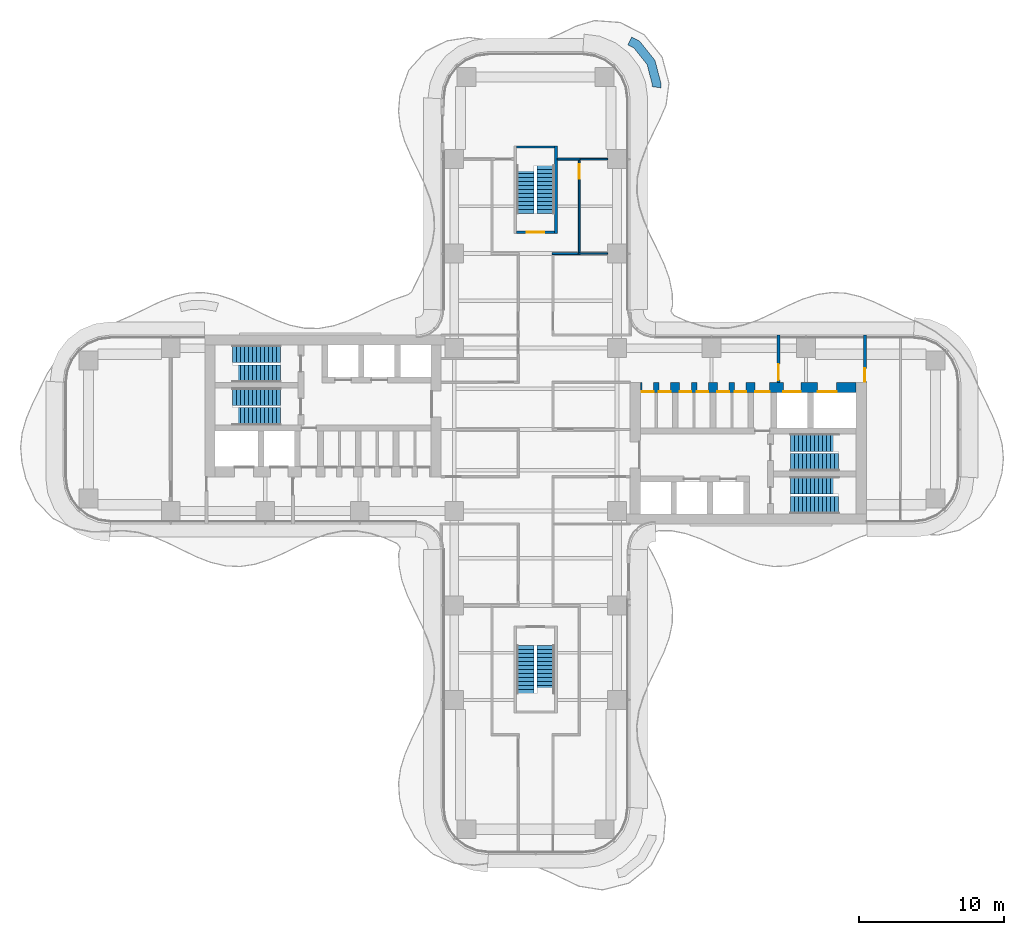
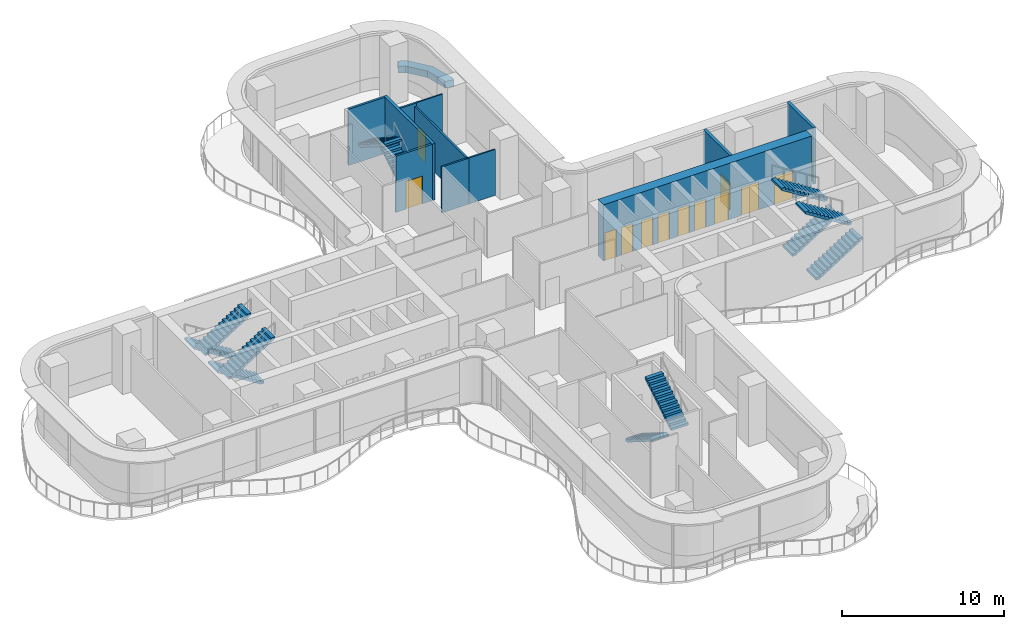
# One storey, part 21 of 23: 13 doors, 12 stair flights, 12 walls, 13 openings, 6 elements without a shape of their own.
"""IFC4 building model written with IfcOpenShell, lengths in metres."""

from ifc_helpers import new_model, si_unit, direction, frame, frame_2d, origin, place, context, subcontext, project, spatial, polyline, rectangle, outline, extrude, source, transform, mapped, material, layer, layer_set, type_object, element, fill, aggregate, save


model = new_model("IFC4")

# Units and contexts
model_context = context("Model", 3, precision=1e-05, world=origin(), true_north=direction((0.0, 1.0)))
body_context = subcontext(model_context, "Body", "Model", "MODEL_VIEW")
ifc_project = project(units=[si_unit("LENGTHUNIT", "METRE"), si_unit("AREAUNIT", "SQUARE_METRE"), si_unit("VOLUMEUNIT", "CUBIC_METRE"), si_unit("PLANEANGLEUNIT", "RADIAN"), si_unit("MASSUNIT", "GRAM", prefix="KILO")], contexts=[model_context])

# Site, building, storey
site_placement = place(None, origin())
site = spatial("IfcSite", under=ifc_project, at=site_placement, CompositionType="ELEMENT")
building_placement = place(site_placement, origin())
building = spatial("IfcBuilding", under=site, at=building_placement, Name="Trellis Farm Tower", CompositionType="ELEMENT")
storey_placement = place(building_placement, frame((0.0, 0.0, 120.0)))
storey = spatial("IfcBuildingStorey", under=building, at=storey_placement, Name="L25", CompositionType="ELEMENT", Elevation=120.0)

# Wall
ifc_material_1 = material(Name="Sandstone faced masonry planter", Category="masonry")
ifc_layer_1 = layer(ifc_material_1, 0.60009765625)
ifc_layer_set_1 = layer_set([ifc_layer_1], Name="PLANTER BED 600")
wall_type_1 = type_object("IfcWallType", Name="PLANTER BED 600", PredefinedType="USERDEFINED", material=ifc_layer_set_1)
placement = place(storey_placement, origin())
element("IfcWall", 1, at=placement, inside=storey, type_object=wall_type_1, Name="PLANTER bed", ObjectType="PLANTER", PredefinedType="USERDEFINED", context=body_context, shape_type="SweptSolid", body=[
    extrude(outline(polyline([(7.14306640625, 26.728515625), (8.212890625, 25.3935546875), (8.642578125, 23.740478515625), (8.608642578125, 23.5029296875), (8.0146484375, 23.58837890625), (8.03173828125, 23.706298828125), (7.66455078125, 25.118408203125), (6.755859375, 26.252197265625), (6.33984375, 26.463623046875), (6.61181640625, 26.99853515625), (7.14306640625, 26.728515625)])), origin(), (0.0, 0.0, 1.0), 0.5),
])

# Wall, opening, door
ifc_material_2 = material(Name="Masonry blockwork", Category="masonry")
ifc_layer_2 = layer(ifc_material_2, 0.199951171875)
ifc_layer_set_2 = layer_set([ifc_layer_2], Name="FIRE LOBBY PARTITION 200 BLOCKWORK")
wall_type_2 = type_object("IfcWallType", Name="FIRE LOBBY PARTITION 200 BLOCKWORK", PredefinedType="PARTITIONING", material=ifc_layer_set_2)
shared_shape_1 = source(origin(), body_context, "Body", "SweptSolid", [
    extrude(rectangle(XDim=3.25, YDim=0.199951171875, at=frame_2d((1.625, 0.0))), origin(), (0.0, 0.0, 1.0), 4.25),
])
wall_2_placement = place(storey_placement, frame((16.699951171875, 3.25, 0.0), z_axis=(0.0, 0.0, 1.0), x_axis=(0.0, 1.0, 0.0)))
wall_2 = element("IfcWall", 2, at=wall_2_placement, inside=storey, type_object=wall_type_2, Name="Fire-fighting lobby partition", PredefinedType="PARTITIONING", context=body_context, shape_type="MappedRepresentation", body=[
    mapped(shared_shape_1, transform((0.0, 0.0, 0.0))),
])
shared_shape_2 = source(origin(), body_context, "Body", "SweptSolid", [
    extrude(rectangle(XDim=1.10009765625, YDim=2.10009765625, at=frame_2d((0.550048828125, 1.050048828125))), frame((0.0, 0.110107421875, 0.0), z_axis=(0.0, -1.0, 0.0), x_axis=(1.0, 0.0, 0.0)), (0.0, 0.0, 1.0), 0.22021484375),
])
opening_1_placement = place(wall_2_placement, frame((0.14990234375, 0.0, 0.0)))
opening_1 = element("IfcOpeningElement", 3, at=opening_1_placement, cuts=wall_2, Name="Opening DC7", PredefinedType="OPENING", context=body_context, shape_type="MappedRepresentation", body=[
    mapped(shared_shape_2, transform((0.0, 0.0, 0.0))),
])
ifc_material_3 = material(Name="Steel", Category="steel")
door_type_1 = type_object("IfcDoorType", Name="CORE FIRE DOOR 1100 X 2100", OperationType="NOTDEFINED", PredefinedType="DOOR", material=ifc_material_3)
shared_shape_3 = source(origin(), body_context, "Body", "SweptSolid", [
    extrude(rectangle(XDim=1.10009765625, YDim=2.10009765625, at=frame_2d((0.550048828125, 1.050048828125))), frame((0.0, 0.02490234375, 0.0), z_axis=(0.0, -1.0, 0.0), x_axis=(1.0, 0.0, 0.0)), (0.0, 0.0, 1.0), 0.050048828125),
])
door_1_placement = place(opening_1_placement, origin())
door_1 = element("IfcDoor", 4, at=door_1_placement, inside=storey, type_object=door_type_1, Name="Core door", OperationType="SINGLE_SWING_RIGHT", OverallHeight=2.10009765625, OverallWidth=1.10009765625, PredefinedType="DOOR", context=body_context, shape_type="MappedRepresentation", body=[
    mapped(shared_shape_3, transform((0.0, 0.0, 0.0))),
])
fill(opening_1, door_1)

wall_3_placement = place(storey_placement, frame((22.64990234375, 3.25, 0.0), z_axis=(0.0, 0.0, 1.0), x_axis=(0.0, 1.0, 0.0)))
wall_3 = element("IfcWall", 5, at=wall_3_placement, inside=storey, type_object=wall_type_2, Name="Fire-fighting lobby partition", PredefinedType="PARTITIONING", context=body_context, shape_type="MappedRepresentation", body=[
    mapped(shared_shape_1, transform((0.0, 0.0, 0.0))),
])
shared_shape_4 = source(origin(), body_context, "Body", "SweptSolid", [
    extrude(rectangle(XDim=0.89990234375, YDim=2.10009765625, at=frame_2d((0.449951171875, 1.050048828125))), frame((0.0, 0.110107421875, 0.0), z_axis=(0.0, -1.0, 0.0), x_axis=(1.0, 0.0, 0.0)), (0.0, 0.0, 1.0), 0.22021484375),
])
opening_2_placement = place(wall_3_placement, frame((0.050048828125, 0.0, 0.0)))
opening_2 = element("IfcOpeningElement", 6, at=opening_2_placement, cuts=wall_3, Name="Opening DC8", PredefinedType="OPENING", context=body_context, shape_type="MappedRepresentation", body=[
    mapped(shared_shape_4, transform((0.0, 0.0, 0.0))),
])
door_type_2 = type_object("IfcDoorType", Name="CORE FIRE DOOR 900 X 2100", OperationType="NOTDEFINED", PredefinedType="DOOR", material=ifc_material_3)
shared_shape_5 = source(origin(), body_context, "Body", "SweptSolid", [
    extrude(rectangle(XDim=0.89990234375, YDim=2.10009765625, at=frame_2d((0.449951171875, 1.050048828125))), frame((0.0, 0.02490234375, 0.0), z_axis=(0.0, -1.0, 0.0), x_axis=(1.0, 0.0, 0.0)), (0.0, 0.0, 1.0), 0.050048828125),
])
door_2_placement = place(opening_2_placement, origin())
door_2 = element("IfcDoor", 7, at=door_2_placement, inside=storey, type_object=door_type_2, Name="Core door", OperationType="SINGLE_SWING_RIGHT", OverallHeight=2.10009765625, OverallWidth=0.89990234375, PredefinedType="DOOR", context=body_context, shape_type="MappedRepresentation", body=[
    mapped(shared_shape_5, transform((0.0, 0.0, 0.0))),
])
fill(opening_2, door_2)

# Wall, openings, doors
ifc_material_4 = material(Name="Concrete C70/85", Category="concrete")
ifc_layer_3 = layer(ifc_material_4, 0.699951171875)
ifc_layer_set_3 = layer_set([ifc_layer_3], Name="CORE OUTER WALL 700 CONCRETE C70/85")
wall_type_3 = type_object("IfcWallType", Name="CORE OUTER WALL 700 CONCRETE C70/85", PredefinedType="SHEAR", material=ifc_layer_set_3)
shared_shape_6 = source(origin(), body_context, "Body", "SweptSolid", [
    extrude(rectangle(XDim=14.85009765625, YDim=0.699951171875, at=frame_2d((7.425048828125, 0.0))), origin(), (0.0, 0.0, 1.0), 4.25),
])
wall_4_placement = place(storey_placement, frame((7.199951171875, 2.89990234375, 0.0), z_axis=(0.0, 0.0, 1.0), x_axis=(1.0, 0.0, 0.0)))
wall_4 = element("IfcWall", 8, at=wall_4_placement, inside=storey, type_object=wall_type_3, Name="Core wall", PredefinedType="SHEAR", context=body_context, shape_type="MappedRepresentation", body=[
    mapped(shared_shape_6, transform((0.0, 0.0, 0.0))),
])
shared_shape_7 = source(origin(), body_context, "Body", "SweptSolid", [
    extrude(rectangle(XDim=1.300048828125, YDim=2.10009765625, at=frame_2d((0.64990234375, 1.050048828125))), frame((0.0, 0.360107421875, 0.0), z_axis=(0.0, -1.0, 0.0), x_axis=(1.0, 0.0, 0.0)), (0.0, 0.0, 1.0), 0.72021484375),
])
opening_3_placement = place(wall_4_placement, frame((12.199951171875, 0.0, 0.0)))
opening_3 = element("IfcOpeningElement", 9, at=opening_3_placement, cuts=wall_4, Name="Opening LD7", PredefinedType="OPENING", context=body_context, shape_type="MappedRepresentation", body=[
    mapped(shared_shape_7, transform((0.0, 0.0, 0.0))),
])
shared_shape_8 = source(origin(), body_context, "Body", "SweptSolid", [
    extrude(rectangle(XDim=1.199951171875, YDim=2.10009765625, at=frame_2d((0.60009765625, 1.050048828125))), frame((0.0, 0.360107421875, 0.0), z_axis=(0.0, -1.0, 0.0), x_axis=(1.0, 0.0, 0.0)), (0.0, 0.0, 1.0), 0.72021484375),
])
opening_4_placement = place(wall_4_placement, frame((9.85009765625, 0.0, 0.0)))
opening_4 = element("IfcOpeningElement", 10, at=opening_4_placement, cuts=wall_4, Name="Opening LD8", PredefinedType="OPENING", context=body_context, shape_type="MappedRepresentation", body=[
    mapped(shared_shape_8, transform((0.0, 0.0, 0.0))),
])
shared_shape_9 = source(origin(), body_context, "Body", "SweptSolid", [
    extrude(rectangle(XDim=1.0, YDim=2.10009765625, at=frame_2d((0.5, 1.050048828125))), frame((0.0, 0.360107421875, 0.0), z_axis=(0.0, -1.0, 0.0), x_axis=(1.0, 0.0, 0.0)), (0.0, 0.0, 1.0), 0.72021484375),
])
opening_5_placement = place(wall_4_placement, frame((7.89990234375, 0.0, 0.0)))
opening_5 = element("IfcOpeningElement", 11, at=opening_5_placement, cuts=wall_4, Name="Opening DC6", PredefinedType="OPENING", context=body_context, shape_type="MappedRepresentation", body=[
    mapped(shared_shape_9, transform((0.0, 0.0, 0.0))),
])
shared_shape_10 = source(origin(), body_context, "Body", "SweptSolid", [
    extrude(rectangle(XDim=0.800048828125, YDim=2.10009765625, at=frame_2d((0.39990234375, 1.050048828125))), frame((0.0, 0.360107421875, 0.0), z_axis=(0.0, -1.0, 0.0), x_axis=(1.0, 0.0, 0.0)), (0.0, 0.0, 1.0), 0.72021484375),
])
opening_6_placement = place(wall_4_placement, frame((0.112548828125, 0.0, 0.0)))
opening_6 = element("IfcOpeningElement", 12, at=opening_6_placement, cuts=wall_4, Name="Opening DC9", PredefinedType="OPENING", context=body_context, shape_type="MappedRepresentation", body=[
    mapped(shared_shape_10, transform((0.0, 0.0, 0.0))),
])
opening_7_placement = place(wall_4_placement, frame((1.28759765625, 0.0, 0.0)))
opening_7 = element("IfcOpeningElement", 13, at=opening_7_placement, cuts=wall_4, Name="Opening DC16", PredefinedType="OPENING", context=body_context, shape_type="MappedRepresentation", body=[
    mapped(shared_shape_10, transform((0.0, 0.0, 0.0))),
])
opening_8_placement = place(wall_4_placement, frame((2.71240234375, 0.0, 0.0)))
opening_8 = element("IfcOpeningElement", 14, at=opening_8_placement, cuts=wall_4, Name="Opening DC21", PredefinedType="OPENING", context=body_context, shape_type="MappedRepresentation", body=[
    mapped(shared_shape_10, transform((0.0, 0.0, 0.0))),
])
opening_9_placement = place(wall_4_placement, frame((3.887451171875, 0.0, 0.0)))
opening_9 = element("IfcOpeningElement", 15, at=opening_9_placement, cuts=wall_4, Name="Opening DC28", PredefinedType="OPENING", context=body_context, shape_type="MappedRepresentation", body=[
    mapped(shared_shape_10, transform((0.0, 0.0, 0.0))),
])
opening_10_placement = place(wall_4_placement, frame((5.3125, 0.0, 0.0)))
opening_10 = element("IfcOpeningElement", 16, at=opening_10_placement, cuts=wall_4, Name="Opening DC33", PredefinedType="OPENING", context=body_context, shape_type="MappedRepresentation", body=[
    mapped(shared_shape_10, transform((0.0, 0.0, 0.0))),
])
opening_11_placement = place(wall_4_placement, frame((6.487548828125, 0.0, 0.0)))
opening_11 = element("IfcOpeningElement", 17, at=opening_11_placement, cuts=wall_4, Name="Opening DC40", PredefinedType="OPENING", context=body_context, shape_type="MappedRepresentation", body=[
    mapped(shared_shape_10, transform((0.0, 0.0, 0.0))),
])
door_type_3 = type_object("IfcDoorType", Name="CORE FIRE DOOR 1000 X 2100", OperationType="NOTDEFINED", PredefinedType="DOOR", material=ifc_material_3)
shared_shape_11 = source(origin(), body_context, "Body", "SweptSolid", [
    extrude(rectangle(XDim=1.0, YDim=2.10009765625, at=frame_2d((0.5, 1.050048828125))), frame((0.0, -0.27490234375, 0.0), z_axis=(0.0, -1.0, 0.0), x_axis=(1.0, 0.0, 0.0)), (0.0, 0.0, 1.0), 0.050048828125),
])
door_3_placement = place(opening_5_placement, origin())
door_3 = element("IfcDoor", 18, at=door_3_placement, inside=storey, type_object=door_type_3, Name="Core door", OperationType="SINGLE_SWING_LEFT", OverallHeight=2.10009765625, OverallWidth=1.0, PredefinedType="DOOR", context=body_context, shape_type="MappedRepresentation", body=[
    mapped(shared_shape_11, transform((0.0, 0.0, 0.0))),
])
fill(opening_5, door_3)
ifc_material_5 = material(Name="Stainless steel", Category="steel")
door_type_4 = type_object("IfcDoorType", Name="LIFT LANDING DOOR 1300 X 2100", OperationType="DOUBLE_DOOR_SLIDING", PredefinedType="DOOR", material=ifc_material_5)
shared_shape_12 = source(origin(), body_context, "Body", "SweptSolid", [
    extrude(rectangle(XDim=1.300048828125, YDim=2.10009765625, at=frame_2d((0.64990234375, 1.050048828125))), frame((0.0, -0.27490234375, 0.0), z_axis=(0.0, -1.0, 0.0), x_axis=(1.0, 0.0, 0.0)), (0.0, 0.0, 1.0), 0.050048828125),
])
door_4_placement = place(opening_3_placement, origin())
door_4 = element("IfcDoor", 19, at=door_4_placement, inside=storey, type_object=door_type_4, Name="Lift landing door", OperationType="DOUBLE_DOOR_SLIDING", OverallHeight=2.10009765625, OverallWidth=1.300048828125, PredefinedType="DOOR", context=body_context, shape_type="MappedRepresentation", body=[
    mapped(shared_shape_12, transform((0.0, 0.0, 0.0))),
])
fill(opening_3, door_4)
door_type_5 = type_object("IfcDoorType", Name="LIFT LANDING DOOR 1200 X 2100", OperationType="DOUBLE_DOOR_SLIDING", PredefinedType="DOOR", material=ifc_material_5)
shared_shape_13 = source(origin(), body_context, "Body", "SweptSolid", [
    extrude(rectangle(XDim=1.199951171875, YDim=2.10009765625, at=frame_2d((0.60009765625, 1.050048828125))), frame((0.0, -0.27490234375, 0.0), z_axis=(0.0, -1.0, 0.0), x_axis=(1.0, 0.0, 0.0)), (0.0, 0.0, 1.0), 0.050048828125),
])
door_5_placement = place(opening_4_placement, origin())
door_5 = element("IfcDoor", 20, at=door_5_placement, inside=storey, type_object=door_type_5, Name="Lift landing door", OperationType="DOUBLE_DOOR_SLIDING", OverallHeight=2.10009765625, OverallWidth=1.199951171875, PredefinedType="DOOR", context=body_context, shape_type="MappedRepresentation", body=[
    mapped(shared_shape_13, transform((0.0, 0.0, 0.0))),
])
fill(opening_4, door_5)
door_type_6 = type_object("IfcDoorType", Name="CORE FIRE DOOR 800 X 2100", OperationType="NOTDEFINED", PredefinedType="DOOR", material=ifc_material_3)
shared_shape_14 = source(origin(), body_context, "Body", "SweptSolid", [
    extrude(rectangle(XDim=0.800048828125, YDim=2.10009765625, at=frame_2d((0.39990234375, 1.050048828125))), frame((0.0, -0.27490234375, 0.0), z_axis=(0.0, -1.0, 0.0), x_axis=(1.0, 0.0, 0.0)), (0.0, 0.0, 1.0), 0.050048828125),
])
door_6_placement = place(opening_6_placement, origin())
door_6 = element("IfcDoor", 21, at=door_6_placement, inside=storey, type_object=door_type_6, Name="Core door", OperationType="SINGLE_SWING_LEFT", OverallHeight=2.10009765625, OverallWidth=0.800048828125, PredefinedType="DOOR", context=body_context, shape_type="MappedRepresentation", body=[
    mapped(shared_shape_14, transform((0.0, 0.0, 0.0))),
])
fill(opening_6, door_6)
door_7_placement = place(opening_7_placement, origin())
door_7 = element("IfcDoor", 22, at=door_7_placement, inside=storey, type_object=door_type_6, Name="Core door", OperationType="SINGLE_SWING_RIGHT", OverallHeight=2.10009765625, OverallWidth=0.800048828125, PredefinedType="DOOR", context=body_context, shape_type="MappedRepresentation", body=[
    mapped(shared_shape_14, transform((0.0, 0.0, 0.0))),
])
fill(opening_7, door_7)
door_8_placement = place(opening_8_placement, origin())
door_8 = element("IfcDoor", 23, at=door_8_placement, inside=storey, type_object=door_type_6, Name="Core door", OperationType="SINGLE_SWING_LEFT", OverallHeight=2.10009765625, OverallWidth=0.800048828125, PredefinedType="DOOR", context=body_context, shape_type="MappedRepresentation", body=[
    mapped(shared_shape_14, transform((0.0, 0.0, 0.0))),
])
fill(opening_8, door_8)
door_9_placement = place(opening_9_placement, origin())
door_9 = element("IfcDoor", 24, at=door_9_placement, inside=storey, type_object=door_type_6, Name="Core door", OperationType="SINGLE_SWING_RIGHT", OverallHeight=2.10009765625, OverallWidth=0.800048828125, PredefinedType="DOOR", context=body_context, shape_type="MappedRepresentation", body=[
    mapped(shared_shape_14, transform((0.0, 0.0, 0.0))),
])
fill(opening_9, door_9)
door_10_placement = place(opening_10_placement, origin())
door_10 = element("IfcDoor", 25, at=door_10_placement, inside=storey, type_object=door_type_6, Name="Core door", OperationType="SINGLE_SWING_LEFT", OverallHeight=2.10009765625, OverallWidth=0.800048828125, PredefinedType="DOOR", context=body_context, shape_type="MappedRepresentation", body=[
    mapped(shared_shape_14, transform((0.0, 0.0, 0.0))),
])
fill(opening_10, door_10)
door_11_placement = place(opening_11_placement, origin())
door_11 = element("IfcDoor", 26, at=door_11_placement, inside=storey, type_object=door_type_6, Name="Core door", OperationType="SINGLE_SWING_RIGHT", OverallHeight=2.10009765625, OverallWidth=0.800048828125, PredefinedType="DOOR", context=body_context, shape_type="MappedRepresentation", body=[
    mapped(shared_shape_14, transform((0.0, 0.0, 0.0))),
])
fill(opening_11, door_11)

# Wall
ifc_layer_4 = layer(ifc_material_4, 0.199951171875)
ifc_layer_set_4 = layer_set([ifc_layer_4], Name="CORE STAIR ENCLOSURE WALL 200 CONCRETE C70/85")
wall_type_4 = type_object("IfcWallType", Name="CORE STAIR ENCLOSURE WALL 200 CONCRETE C70/85", PredefinedType="SHEAR", material=ifc_layer_set_4)
shared_shape_15 = source(origin(), body_context, "Body", "SweptSolid", [
    extrude(rectangle(XDim=6.0, YDim=0.199951171875, at=frame_2d((3.0, 0.0))), origin(), (0.0, 0.0, 1.0), 4.25),
])
wall_5_placement = place(storey_placement, frame((1.39990234375, 13.5, 0.0), z_axis=(0.0, 0.0, 1.0), x_axis=(0.0, 1.0, 0.0)))
element("IfcWall", 27, at=wall_5_placement, inside=storey, type_object=wall_type_4, Name="Stair enclosure wall", PredefinedType="SHEAR", context=body_context, shape_type="MappedRepresentation", body=[
    mapped(shared_shape_15, transform((0.0, 0.0, 0.0))),
])

# Wall, opening, door
ifc_layer_5 = layer(ifc_material_4, 0.14990234375)
ifc_layer_set_5 = layer_set([ifc_layer_5], Name="CORE STAIR ENCLOSURE WALL 150 CONCRETE C70/85")
wall_type_5 = type_object("IfcWallType", Name="CORE STAIR ENCLOSURE WALL 150 CONCRETE C70/85", PredefinedType="SHEAR", material=ifc_layer_set_5)
shared_shape_16 = source(origin(), body_context, "Body", "SweptSolid", [
    extrude(rectangle(XDim=2.60009765625, YDim=0.14990234375, at=frame_2d((1.300048828125, 0.0))), origin(), (0.0, 0.0, 1.0), 4.25),
])
wall_6_placement = place(storey_placement, frame((-1.300048828125, 13.574951171875, 0.0), z_axis=(0.0, 0.0, 1.0), x_axis=(1.0, 0.0, 0.0)))
wall_6 = element("IfcWall", 28, at=wall_6_placement, inside=storey, type_object=wall_type_5, Name="Stair enclosure wall", PredefinedType="SHEAR", context=body_context, shape_type="MappedRepresentation", body=[
    mapped(shared_shape_16, transform((0.0, 0.0, 0.0))),
])
shared_shape_17 = source(origin(), body_context, "Body", "SweptSolid", [
    extrude(rectangle(XDim=1.199951171875, YDim=2.10009765625, at=frame_2d((0.60009765625, 1.050048828125))), frame((0.0, 0.0849609375, 0.0), z_axis=(0.0, -1.0, 0.0), x_axis=(1.0, 0.0, 0.0)), (0.0, 0.0, 1.0), 0.169921875),
])
opening_12_placement = place(wall_6_placement, frame((0.699951171875, 0.0, 0.0)))
opening_12 = element("IfcOpeningElement", 29, at=opening_12_placement, cuts=wall_6, Name="Opening DC173", PredefinedType="OPENING", context=body_context, shape_type="MappedRepresentation", body=[
    mapped(shared_shape_17, transform((0.0, 0.0, 0.0))),
])
door_type_7 = type_object("IfcDoorType", Name="CORE FIRE DOOR 1200 X 2100", OperationType="NOTDEFINED", PredefinedType="DOOR", material=ifc_material_3)
shared_shape_18 = source(origin(), body_context, "Body", "SweptSolid", [
    extrude(rectangle(XDim=1.199951171875, YDim=2.10009765625, at=frame_2d((0.60009765625, 1.050048828125))), frame((0.0, 0.02490234375, 0.0), z_axis=(0.0, -1.0, 0.0), x_axis=(1.0, 0.0, 0.0)), (0.0, 0.0, 1.0), 0.050048828125),
])
door_12_placement = place(opening_12_placement, origin())
door_12 = element("IfcDoor", 30, at=door_12_placement, inside=storey, type_object=door_type_7, Name="Core door", OperationType="SINGLE_SWING_LEFT", OverallHeight=2.10009765625, OverallWidth=1.199951171875, PredefinedType="DOOR", context=body_context, shape_type="MappedRepresentation", body=[
    mapped(shared_shape_18, transform((0.0, 0.0, 0.0))),
])
fill(opening_12, door_12)

# Walls
wall_7_placement = place(storey_placement, frame((-1.300048828125, 19.425048828125, 0.0), z_axis=(0.0, 0.0, 1.0), x_axis=(1.0, 0.0, 0.0)))
element("IfcWall", 31, at=wall_7_placement, inside=storey, type_object=wall_type_5, Name="Stair enclosure wall", PredefinedType="SHEAR", context=body_context, shape_type="MappedRepresentation", body=[
    mapped(shared_shape_16, transform((0.0, 0.0, 0.0))),
])
ifc_material_6 = material(Name="Plasterboard on steel studs, mineral wool", Category="steel")
ifc_layer_6 = layer(ifc_material_6, 0.125)
ifc_layer_set_6 = layer_set([ifc_layer_6], Name="PARTITION 125 STUD EI 60")
wall_type_6 = type_object("IfcWallType", Name="PARTITION 125 STUD EI 60", PredefinedType="PARTITIONING", material=ifc_layer_set_6)
shared_shape_19 = source(origin(), body_context, "Body", "SweptSolid", [
    extrude(rectangle(XDim=1.925048828125, YDim=0.125, at=frame_2d((0.96240234375, 0.0))), origin(), (0.0, 0.0, 1.0), 3.4677734375),
])
wall_8_placement = place(storey_placement, frame((3.0625, 12.10009765625, 0.0), z_axis=(0.0, 0.0, 1.0), x_axis=(-1.0, 0.0, 0.0)))
element("IfcWall", 32, at=wall_8_placement, inside=storey, type_object=wall_type_6, Name="Partition PW1", PredefinedType="PARTITIONING", context=body_context, shape_type="MappedRepresentation", body=[
    mapped(shared_shape_19, transform((0.0, 0.0, 0.0))),
])

# Wall, opening, door
shared_shape_20 = source(origin(), body_context, "Body", "SweptSolid", [
    extrude(rectangle(XDim=6.400146484375, YDim=0.125, at=frame_2d((3.2001953125, 0.0))), origin(), (0.0, 0.0, 1.0), 3.4677734375),
])
wall_9_placement = place(storey_placement, frame((3.0, 18.550048828125, 0.0), z_axis=(0.0, 0.0, 1.0), x_axis=(0.0, -1.0, 0.0)))
wall_9 = element("IfcWall", 33, at=wall_9_placement, inside=storey, type_object=wall_type_6, Name="Partition PW1", PredefinedType="PARTITIONING", context=body_context, shape_type="MappedRepresentation", body=[
    mapped(shared_shape_20, transform((0.0, 0.0, 0.0))),
])
shared_shape_21 = source(origin(), body_context, "Body", "SweptSolid", [
    extrude(rectangle(XDim=1.0, YDim=2.10009765625, at=frame_2d((0.5, 1.050048828125))), frame((0.0, 0.072509765625, 0.0), z_axis=(0.0, -1.0, 0.0), x_axis=(1.0, 0.0, 0.0)), (0.0, 0.0, 1.0), 0.14501953125),
])
opening_13_placement = place(wall_9_placement, frame((0.300048828125, 0.0, 0.0)))
opening_13 = element("IfcOpeningElement", 34, at=opening_13_placement, cuts=wall_9, Name="Opening D107", PredefinedType="OPENING", context=body_context, shape_type="MappedRepresentation", body=[
    mapped(shared_shape_21, transform((0.0, 0.0, 0.0))),
])
ifc_material_7 = material(Name="Fire-rated timber door leaf in a hollow metal frame", Category="wood")
door_type_8 = type_object("IfcDoorType", Name="DOOR 1000x2100 FD30S", OperationType="NOTDEFINED", PredefinedType="DOOR", material=ifc_material_7)
shared_shape_22 = source(origin(), body_context, "Body", "SweptSolid", [
    extrude(rectangle(XDim=1.0, YDim=2.10009765625, at=frame_2d((0.5, 1.050048828125))), frame((0.0, 0.02490234375, 0.0), z_axis=(0.0, -1.0, 0.0), x_axis=(1.0, 0.0, 0.0)), (0.0, 0.0, 1.0), 0.050048828125),
])
door_13_placement = place(opening_13_placement, origin())
door_13 = element("IfcDoor", 35, at=door_13_placement, inside=storey, type_object=door_type_8, Name="Door D107", OperationType="SINGLE_SWING_LEFT", OverallHeight=2.10009765625, OverallWidth=1.0, PredefinedType="DOOR", context=body_context, shape_type="MappedRepresentation", body=[
    mapped(shared_shape_22, transform((0.0, 0.0, 0.0))),
])
fill(opening_13, door_13)

# Walls
shared_shape_23 = source(origin(), body_context, "Body", "SweptSolid", [
    extrude(rectangle(XDim=1.5625, YDim=0.125, at=frame_2d((0.78125, 0.0))), origin(), (0.0, 0.0, 1.0), 3.697021484375),
])
wall_10_placement = place(storey_placement, frame((1.5, 18.60009765625, 0.0), z_axis=(0.0, 0.0, 1.0), x_axis=(1.0, 0.0, 0.0)))
element("IfcWall", 36, at=wall_10_placement, inside=storey, type_object=wall_type_6, Name="Partition PW1", PredefinedType="PARTITIONING", context=body_context, shape_type="MappedRepresentation", body=[
    mapped(shared_shape_23, transform((0.0, 0.0, 0.0))),
])
ifc_material_8 = material(Name="Plasterboard on steel studs", Category="steel")
ifc_layer_7 = layer(ifc_material_8, 0.10009765625)
ifc_layer_set_7 = layer_set([ifc_layer_7], Name="PARTITION 100 STUD EI 30")
wall_type_7 = type_object("IfcWallType", Name="PARTITION 100 STUD EI 30", PredefinedType="PARTITIONING", material=ifc_layer_set_7)
shared_shape_24 = source(origin(), body_context, "Body", "SweptSolid", [
    extrude(rectangle(XDim=2.012451171875, YDim=0.10009765625, at=frame_2d((1.00634765625, 0.0))), origin(), (0.0, 0.0, 1.0), 3.697021484375),
])
wall_11_placement = place(storey_placement, frame((2.9375, 18.60009765625, 0.0), z_axis=(0.0, 0.0, 1.0), x_axis=(1.0, 0.0, 0.0)))
element("IfcWall", 37, at=wall_11_placement, inside=storey, type_object=wall_type_7, Name="Partition PW2", PredefinedType="PARTITIONING", context=body_context, shape_type="MappedRepresentation", body=[
    mapped(shared_shape_24, transform((0.0, 0.0, 0.0))),
])
shared_shape_25 = source(origin(), body_context, "Body", "SweptSolid", [
    extrude(rectangle(XDim=2.012451171875, YDim=0.10009765625, at=frame_2d((1.00634765625, 0.0))), origin(), (0.0, 0.0, 1.0), 3.4677734375),
])
wall_12_placement = place(storey_placement, frame((2.9375, 12.10009765625, 0.0), z_axis=(0.0, 0.0, 1.0), x_axis=(1.0, 0.0, 0.0)))
element("IfcWall", 38, at=wall_12_placement, inside=storey, type_object=wall_type_7, Name="Partition PW2", PredefinedType="PARTITIONING", context=body_context, shape_type="MappedRepresentation", body=[
    mapped(shared_shape_25, transform((0.0, 0.0, 0.0))),
])

# Stair, stair flights
ifc_material_9 = material(Name="Concrete C50/60", Category="concrete")
stair_type = type_object("IfcStairType", Name="CORE EXIT STAIR 26 RISERS 173 MM", PredefinedType="HALF_TURN_STAIR", material=ifc_material_9)
stair_1 = element("IfcStair", 39, at=placement, inside=storey, type_object=stair_type, Name="Exit stair N", PredefinedType="HALF_TURN_STAIR")
stair_flight_type = type_object("IfcStairFlightType", Name="STAIR FLIGHT 13 RISERS 173 MM", PredefinedType="STRAIGHT", material=ifc_material_9)
shared_shape_26 = source(origin(), body_context, "Body", "SweptSolid", [
    extrude(outline(polyline([(0.0, 0.0), (0.0, 0.173095703125), (0.27490234375, 0.173095703125), (0.27490234375, 0.34619140625), (0.550048828125, 0.34619140625), (0.550048828125, 0.519287109375), (0.824951171875, 0.519287109375), (0.824951171875, 0.6923828125), (1.10009765625, 0.6923828125), (1.10009765625, 0.865478515625), (1.375, 0.865478515625), (1.375, 1.03857421875), (1.64990234375, 1.03857421875), (1.64990234375, 1.21142578125), (1.925048828125, 1.21142578125), (1.925048828125, 1.384521484375), (2.199951171875, 1.384521484375), (2.199951171875, 1.5576171875), (2.47509765625, 1.5576171875), (2.47509765625, 1.730712890625), (2.75, 1.730712890625), (2.75, 1.90380859375), (3.02490234375, 1.90380859375), (3.02490234375, 2.076904296875), (3.300048828125, 2.076904296875), (3.300048828125, 2.25), (3.300048828125, 1.92333984375), (0.243896484375, 0.0), (0.0, 0.0)])), frame((0.0, 0.60009765625, 0.0), z_axis=(0.0, -1.0, 0.0), x_axis=(1.0, 0.0, 0.0)), (0.0, 0.0, 1.0), 1.199951171875),
])
stair_flight_1_placement = place(storey_placement, frame((0.699951171875, 14.85009765625, 0.0), z_axis=(0.0, 0.0, 1.0), x_axis=(0.0, 1.0, 0.0)))
stair_flight_1 = element("IfcStairFlight", 40, at=stair_flight_1_placement, type_object=stair_flight_type, Name="STN flight 1", NumberOfRisers=13, NumberOfTreads=12, PredefinedType="STRAIGHT", RiserHeight=0.173076923, TreadLength=0.275, context=body_context, shape_type="MappedRepresentation", body=[
    mapped(shared_shape_26, transform((0.0, 0.0, 0.0))),
])
stair_flight_2_placement = place(storey_placement, frame((-0.699951171875, 18.14990234375, 2.25), z_axis=(0.0, 0.0, 1.0), x_axis=(0.0, -1.0, 0.0)))
stair_flight_2 = element("IfcStairFlight", 41, at=stair_flight_2_placement, type_object=stair_flight_type, Name="STN flight 2", NumberOfRisers=13, NumberOfTreads=12, PredefinedType="STRAIGHT", RiserHeight=0.173076923, TreadLength=0.275, context=body_context, shape_type="MappedRepresentation", body=[
    mapped(shared_shape_26, transform((0.0, 0.0, 0.0))),
])
aggregate(stair_1, [stair_flight_1, stair_flight_2])

stair_2 = element("IfcStair", 42, at=placement, inside=storey, type_object=stair_type, Name="Exit stair S", PredefinedType="HALF_TURN_STAIR")
stair_flight_3_placement = place(storey_placement, frame((-0.699951171875, -14.85009765625, 0.0), z_axis=(0.0, 0.0, 1.0), x_axis=(0.0, -1.0, 0.0)))
stair_flight_3 = element("IfcStairFlight", 43, at=stair_flight_3_placement, type_object=stair_flight_type, Name="STS flight 1", NumberOfRisers=13, NumberOfTreads=12, PredefinedType="STRAIGHT", RiserHeight=0.173076923, TreadLength=0.275, context=body_context, shape_type="MappedRepresentation", body=[
    mapped(shared_shape_26, transform((0.0, 0.0, 0.0))),
])
stair_flight_4_placement = place(storey_placement, frame((0.699951171875, -18.14990234375, 2.25), z_axis=(0.0, 0.0, 1.0), x_axis=(0.0, 1.0, 0.0)))
stair_flight_4 = element("IfcStairFlight", 44, at=stair_flight_4_placement, type_object=stair_flight_type, Name="STS flight 2", NumberOfRisers=13, NumberOfTreads=12, PredefinedType="STRAIGHT", RiserHeight=0.173076923, TreadLength=0.275, context=body_context, shape_type="MappedRepresentation", body=[
    mapped(shared_shape_26, transform((0.0, 0.0, 0.0))),
])
aggregate(stair_2, [stair_flight_3, stair_flight_4])

stair_3 = element("IfcStair", 45, at=placement, inside=storey, type_object=stair_type, Name="Exit stair E1", PredefinedType="HALF_TURN_STAIR")
stair_flight_5_placement = place(storey_placement, frame((17.550048828125, -5.199951171875, 0.0), z_axis=(0.0, 0.0, 1.0), x_axis=(1.0, 0.0, 0.0)))
stair_flight_5 = element("IfcStairFlight", 46, at=stair_flight_5_placement, type_object=stair_flight_type, Name="STE1 flight 1", NumberOfRisers=13, NumberOfTreads=12, PredefinedType="STRAIGHT", RiserHeight=0.173076923, TreadLength=0.275, context=body_context, shape_type="MappedRepresentation", body=[
    mapped(shared_shape_26, transform((0.0, 0.0, 0.0))),
])
stair_flight_6_placement = place(storey_placement, frame((20.85009765625, -3.85009765625, 2.25), z_axis=(0.0, 0.0, 1.0), x_axis=(-1.0, 0.0, 0.0)))
stair_flight_6 = element("IfcStairFlight", 47, at=stair_flight_6_placement, type_object=stair_flight_type, Name="STE1 flight 2", NumberOfRisers=13, NumberOfTreads=12, PredefinedType="STRAIGHT", RiserHeight=0.173076923, TreadLength=0.275, context=body_context, shape_type="MappedRepresentation", body=[
    mapped(shared_shape_26, transform((0.0, 0.0, 0.0))),
])
aggregate(stair_3, [stair_flight_5, stair_flight_6])

stair_4 = element("IfcStair", 48, at=placement, inside=storey, type_object=stair_type, Name="Exit stair E2", PredefinedType="HALF_TURN_STAIR")
stair_flight_7_placement = place(storey_placement, frame((17.550048828125, -2.25, 0.0), z_axis=(0.0, 0.0, 1.0), x_axis=(1.0, 0.0, 0.0)))
stair_flight_7 = element("IfcStairFlight", 49, at=stair_flight_7_placement, type_object=stair_flight_type, Name="STE2 flight 1", NumberOfRisers=13, NumberOfTreads=12, PredefinedType="STRAIGHT", RiserHeight=0.173076923, TreadLength=0.275, context=body_context, shape_type="MappedRepresentation", body=[
    mapped(shared_shape_26, transform((0.0, 0.0, 0.0))),
])
stair_flight_8_placement = place(storey_placement, frame((20.85009765625, -0.89990234375, 2.25), z_axis=(0.0, 0.0, 1.0), x_axis=(-1.0, 0.0, 0.0)))
stair_flight_8 = element("IfcStairFlight", 50, at=stair_flight_8_placement, type_object=stair_flight_type, Name="STE2 flight 2", NumberOfRisers=13, NumberOfTreads=12, PredefinedType="STRAIGHT", RiserHeight=0.173076923, TreadLength=0.275, context=body_context, shape_type="MappedRepresentation", body=[
    mapped(shared_shape_26, transform((0.0, 0.0, 0.0))),
])
aggregate(stair_4, [stair_flight_7, stair_flight_8])

stair_5 = element("IfcStair", 51, at=placement, inside=storey, type_object=stair_type, Name="Exit stair W1", PredefinedType="HALF_TURN_STAIR")
stair_flight_9_placement = place(storey_placement, frame((-17.550048828125, 5.199951171875, 0.0), z_axis=(0.0, 0.0, 1.0), x_axis=(-1.0, 0.0, 0.0)))
stair_flight_9 = element("IfcStairFlight", 52, at=stair_flight_9_placement, type_object=stair_flight_type, Name="STW1 flight 1", NumberOfRisers=13, NumberOfTreads=12, PredefinedType="STRAIGHT", RiserHeight=0.173076923, TreadLength=0.275, context=body_context, shape_type="MappedRepresentation", body=[
    mapped(shared_shape_26, transform((0.0, 0.0, 0.0))),
])
stair_flight_10_placement = place(storey_placement, frame((-20.85009765625, 3.85009765625, 2.25), z_axis=(0.0, 0.0, 1.0), x_axis=(1.0, 0.0, 0.0)))
stair_flight_10 = element("IfcStairFlight", 53, at=stair_flight_10_placement, type_object=stair_flight_type, Name="STW1 flight 2", NumberOfRisers=13, NumberOfTreads=12, PredefinedType="STRAIGHT", RiserHeight=0.173076923, TreadLength=0.275, context=body_context, shape_type="MappedRepresentation", body=[
    mapped(shared_shape_26, transform((0.0, 0.0, 0.0))),
])
aggregate(stair_5, [stair_flight_9, stair_flight_10])

stair_6 = element("IfcStair", 54, at=placement, inside=storey, type_object=stair_type, Name="Exit stair W2", PredefinedType="HALF_TURN_STAIR")
stair_flight_11_placement = place(storey_placement, frame((-17.550048828125, 2.25, 0.0), z_axis=(0.0, 0.0, 1.0), x_axis=(-1.0, 0.0, 0.0)))
stair_flight_11 = element("IfcStairFlight", 55, at=stair_flight_11_placement, type_object=stair_flight_type, Name="STW2 flight 1", NumberOfRisers=13, NumberOfTreads=12, PredefinedType="STRAIGHT", RiserHeight=0.173076923, TreadLength=0.275, context=body_context, shape_type="MappedRepresentation", body=[
    mapped(shared_shape_26, transform((0.0, 0.0, 0.0))),
])
stair_flight_12_placement = place(storey_placement, frame((-20.85009765625, 0.89990234375, 2.25), z_axis=(0.0, 0.0, 1.0), x_axis=(1.0, 0.0, 0.0)))
stair_flight_12 = element("IfcStairFlight", 56, at=stair_flight_12_placement, type_object=stair_flight_type, Name="STW2 flight 2", NumberOfRisers=13, NumberOfTreads=12, PredefinedType="STRAIGHT", RiserHeight=0.173076923, TreadLength=0.275, context=body_context, shape_type="MappedRepresentation", body=[
    mapped(shared_shape_26, transform((0.0, 0.0, 0.0))),
])
aggregate(stair_6, [stair_flight_11, stair_flight_12])

save(model, "model.ifc")
